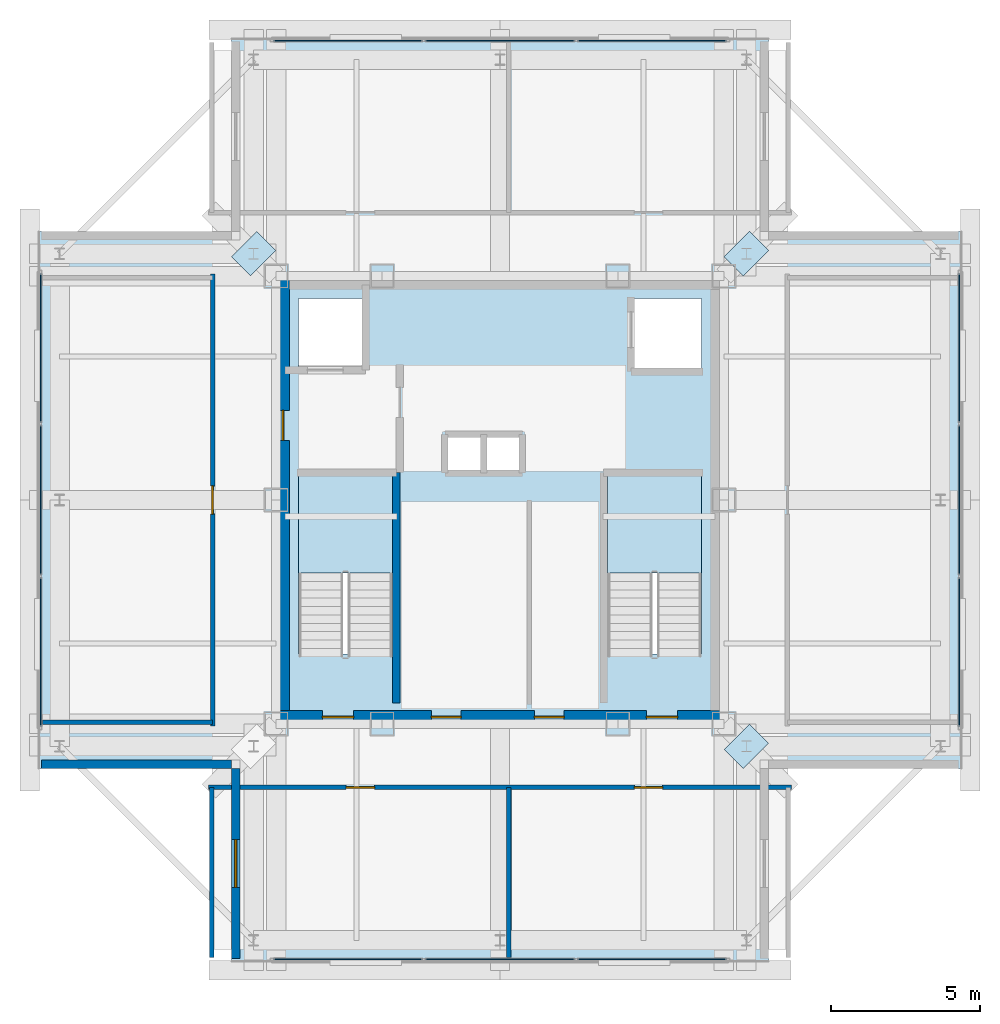
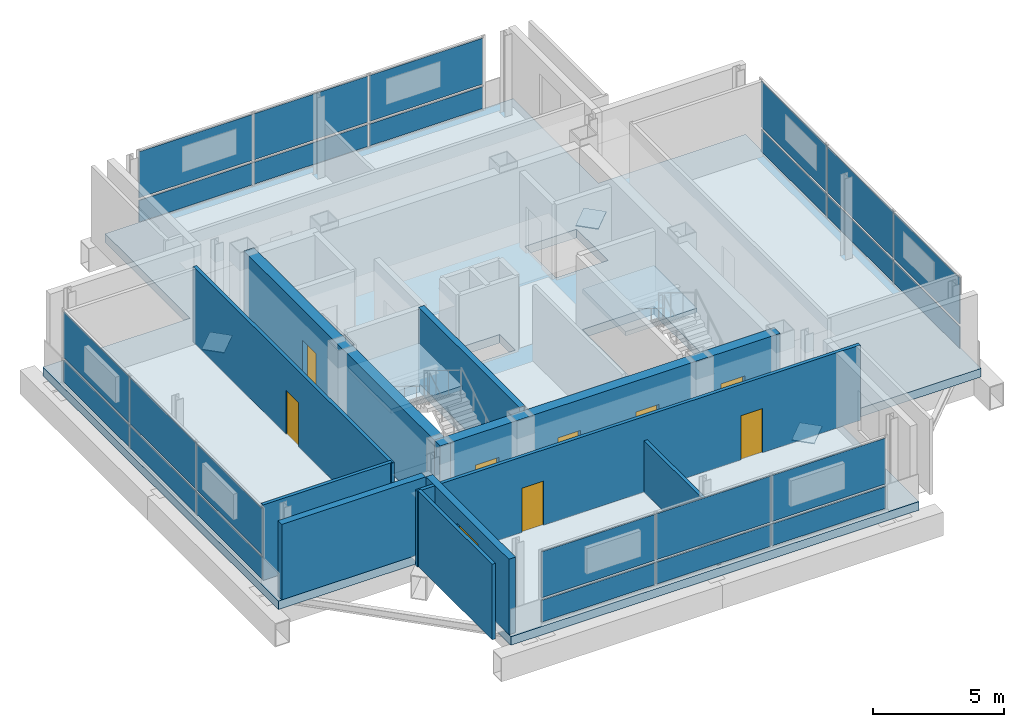
# One storey, part 6 of 10: 27 plates, 10 walls, 8 doors, 3 slabs, 1 window, 9 openings, 6 elements without a shape of their own.
"""IFC4 building model written with IfcOpenShell, lengths in metres."""

from ifc_helpers import new_model, si_unit, direction, frame, frame_2d, origin, origin_2d, place, context, subcontext, project, spatial, polyline, rectangle, outline, extrude, material, layer, layer_set, type_object, element, fill, aggregate, save


model = new_model("IFC4")

# Units and contexts
model_context = context("Model", 3, precision=1e-05, world=origin(), true_north=direction((0.0, 1.0)))
body_context = subcontext(model_context, "Body", "Model", "MODEL_VIEW")
ifc_project = project(units=[si_unit("LENGTHUNIT", "METRE"), si_unit("AREAUNIT", "SQUARE_METRE"), si_unit("VOLUMEUNIT", "CUBIC_METRE"), si_unit("PLANEANGLEUNIT", "RADIAN"), si_unit("MASSUNIT", "GRAM", prefix="KILO")], contexts=[model_context])

# Site, building, storey
site_placement = place(None, origin())
site = spatial("IfcSite", under=ifc_project, at=site_placement, CompositionType="ELEMENT")
building_placement = place(site_placement, origin())
building = spatial("IfcBuilding", under=site, at=building_placement, Name="Trevonay Congress Spire", CompositionType="ELEMENT")
storey_placement = place(building_placement, frame((0.0, 0.0, 316.0)))
storey = spatial("IfcBuildingStorey", under=building, at=storey_placement, Name="L83", CompositionType="ELEMENT", Elevation=316.0)

# Curtain wall, plates
ifc_material_1 = material(Name="Pale Anodised Aluminium EN AW-6063-T6", Category="aluminium")
ifc_layer_1 = layer(ifc_material_1, 0.159912109375, Name="Pale Anodised Aluminium EN AW-6063-T6")
ifc_layer_set_1 = layer_set([ifc_layer_1], Name="Pale Anodised Aluminium EN AW-6063-T6")
curtain_wall_type = type_object("IfcCurtainWallType", Name="CW-SYS06-CROWN-PALE-METAL", PredefinedType="NOTDEFINED", material=ifc_layer_set_1)
curtain_wall_1_placement = place(storey_placement, origin())
curtain_wall_1 = element("IfcCurtainWall", 1, at=curtain_wall_1_placement, inside=storey, type_object=curtain_wall_type, Name="L83 S unitised curtain wall", PredefinedType="NOTDEFINED")
ifc_material_2 = material(Name="Insulated Low-E Vision Glass IGU", Category="glass")
ifc_layer_2 = layer(ifc_material_2, 0.035888671875, Name="Insulated Low-E Vision Glass IGU")
ifc_layer_set_2 = layer_set([ifc_layer_2], Name="Insulated Low-E Vision Glass IGU")
plate_type_1 = type_object("IfcPlateType", Name="CW-PANEL-IGU36-SILVER", PredefinedType="CURTAIN_PANEL", material=ifc_layer_set_2)
plate_1_placement = place(storey_placement, frame((-5.0849609375, -15.3798828125, 0.1201171875), z_axis=(0.0, 0.0, 1.0), x_axis=(1.0, 0.0, 0.0)))
plate_1 = element("IfcPlate", 2, at=plate_1_placement, type_object=plate_type_1, Name="CW06 panel 1.1", PredefinedType="CURTAIN_PANEL", context=body_context, shape_type="SweptSolid", body=[
    extrude(rectangle(XDim=5.010009765625, YDim=0.035888671875, at=origin_2d()), origin(), (0.0, 0.0, 1.0), 1.016845703125),
])
plate_2_placement = place(storey_placement, frame((-5.0849609375, -15.3798828125, 1.2568359375), z_axis=(0.0, 0.0, 1.0), x_axis=(1.0, 0.0, 0.0)))
plate_2 = element("IfcPlate", 3, at=plate_2_placement, type_object=plate_type_1, Name="CW06 panel 1.2", PredefinedType="CURTAIN_PANEL", context=body_context, shape_type="SweptSolid", body=[
    extrude(rectangle(XDim=5.010009765625, YDim=0.035888671875, at=origin_2d()), origin(), (0.0, 0.0, 1.0), 2.143310546875),
])
plate_3_placement = place(storey_placement, frame((0.0, -15.3798828125, 0.1201171875), z_axis=(0.0, 0.0, 1.0), x_axis=(1.0, 0.0, 0.0)))
plate_3 = element("IfcPlate", 4, at=plate_3_placement, type_object=plate_type_1, Name="CW06 panel 2.1", PredefinedType="CURTAIN_PANEL", context=body_context, shape_type="SweptSolid", body=[
    extrude(rectangle(XDim=5.0400390625, YDim=0.035888671875, at=origin_2d()), origin(), (0.0, 0.0, 1.0), 1.016845703125),
])
plate_4_placement = place(storey_placement, frame((0.0, -15.3798828125, 1.2568359375), z_axis=(0.0, 0.0, 1.0), x_axis=(1.0, 0.0, 0.0)))
plate_4 = element("IfcPlate", 5, at=plate_4_placement, type_object=plate_type_1, Name="CW06 panel 2.2", PredefinedType="CURTAIN_PANEL", context=body_context, shape_type="SweptSolid", body=[
    extrude(rectangle(XDim=5.0400390625, YDim=0.035888671875, at=origin_2d()), origin(), (0.0, 0.0, 1.0), 2.143310546875),
])
plate_5_placement = place(storey_placement, frame((5.0849609375, -15.3798828125, 0.1201171875), z_axis=(0.0, 0.0, 1.0), x_axis=(1.0, 0.0, 0.0)))
plate_5 = element("IfcPlate", 6, at=plate_5_placement, type_object=plate_type_1, Name="CW06 panel 3.1", PredefinedType="CURTAIN_PANEL", context=body_context, shape_type="SweptSolid", body=[
    extrude(rectangle(XDim=5.010009765625, YDim=0.035888671875, at=origin_2d()), origin(), (0.0, 0.0, 1.0), 1.016845703125),
])
plate_6_placement = place(storey_placement, frame((5.0849609375, -15.3798828125, 1.2568359375), z_axis=(0.0, 0.0, 1.0), x_axis=(1.0, 0.0, 0.0)))
plate_6 = element("IfcPlate", 7, at=plate_6_placement, type_object=plate_type_1, Name="CW06 panel 3.2", PredefinedType="CURTAIN_PANEL", context=body_context, shape_type="SweptSolid", body=[
    extrude(rectangle(XDim=5.010009765625, YDim=0.035888671875, at=origin_2d()), origin(), (0.0, 0.0, 1.0), 2.143310546875),
])
aggregate(curtain_wall_1, [plate_1, plate_2, plate_3, plate_4, plate_5, plate_6])

curtain_wall_2_placement = place(storey_placement, origin())
curtain_wall_2 = element("IfcCurtainWall", 8, at=curtain_wall_2_placement, inside=storey, type_object=curtain_wall_type, Name="L83 N unitised curtain wall", PredefinedType="NOTDEFINED")
plate_7_placement = place(storey_placement, frame((-5.0849609375, 15.3798828125, 0.1201171875), z_axis=(0.0, 0.0, 1.0), x_axis=(1.0, 0.0, 0.0)))
plate_7 = element("IfcPlate", 9, at=plate_7_placement, type_object=plate_type_1, Name="CW06 panel 1.1", PredefinedType="CURTAIN_PANEL", context=body_context, shape_type="SweptSolid", body=[
    extrude(rectangle(XDim=5.010009765625, YDim=0.035888671875, at=origin_2d()), origin(), (0.0, 0.0, 1.0), 1.016845703125),
])
plate_8_placement = place(storey_placement, frame((-5.0849609375, 15.3798828125, 1.2568359375), z_axis=(0.0, 0.0, 1.0), x_axis=(1.0, 0.0, 0.0)))
plate_8 = element("IfcPlate", 10, at=plate_8_placement, type_object=plate_type_1, Name="CW06 panel 1.2", PredefinedType="CURTAIN_PANEL", context=body_context, shape_type="SweptSolid", body=[
    extrude(rectangle(XDim=5.010009765625, YDim=0.035888671875, at=origin_2d()), origin(), (0.0, 0.0, 1.0), 2.143310546875),
])
plate_9_placement = place(storey_placement, frame((0.0, 15.3798828125, 0.1201171875), z_axis=(0.0, 0.0, 1.0), x_axis=(1.0, 0.0, 0.0)))
plate_9 = element("IfcPlate", 11, at=plate_9_placement, type_object=plate_type_1, Name="CW06 panel 2.1", PredefinedType="CURTAIN_PANEL", context=body_context, shape_type="SweptSolid", body=[
    extrude(rectangle(XDim=5.0400390625, YDim=0.035888671875, at=origin_2d()), origin(), (0.0, 0.0, 1.0), 1.016845703125),
])
plate_10_placement = place(storey_placement, frame((0.0, 15.3798828125, 1.2568359375), z_axis=(0.0, 0.0, 1.0), x_axis=(1.0, 0.0, 0.0)))
plate_10 = element("IfcPlate", 12, at=plate_10_placement, type_object=plate_type_1, Name="CW06 panel 2.2", PredefinedType="CURTAIN_PANEL", context=body_context, shape_type="SweptSolid", body=[
    extrude(rectangle(XDim=5.0400390625, YDim=0.035888671875, at=origin_2d()), origin(), (0.0, 0.0, 1.0), 2.143310546875),
])
plate_11_placement = place(storey_placement, frame((5.0849609375, 15.3798828125, 0.1201171875), z_axis=(0.0, 0.0, 1.0), x_axis=(1.0, 0.0, 0.0)))
plate_11 = element("IfcPlate", 13, at=plate_11_placement, type_object=plate_type_1, Name="CW06 panel 3.1", PredefinedType="CURTAIN_PANEL", context=body_context, shape_type="SweptSolid", body=[
    extrude(rectangle(XDim=5.010009765625, YDim=0.035888671875, at=origin_2d()), origin(), (0.0, 0.0, 1.0), 1.016845703125),
])
plate_12_placement = place(storey_placement, frame((5.0849609375, 15.3798828125, 1.2568359375), z_axis=(0.0, 0.0, 1.0), x_axis=(1.0, 0.0, 0.0)))
plate_12 = element("IfcPlate", 14, at=plate_12_placement, type_object=plate_type_1, Name="CW06 panel 3.2", PredefinedType="CURTAIN_PANEL", context=body_context, shape_type="SweptSolid", body=[
    extrude(rectangle(XDim=5.010009765625, YDim=0.035888671875, at=origin_2d()), origin(), (0.0, 0.0, 1.0), 2.143310546875),
])
aggregate(curtain_wall_2, [plate_7, plate_8, plate_9, plate_10, plate_11, plate_12])

curtain_wall_3_placement = place(storey_placement, origin())
curtain_wall_3 = element("IfcCurtainWall", 15, at=curtain_wall_3_placement, inside=storey, type_object=curtain_wall_type, Name="L83 W unitised curtain wall", PredefinedType="NOTDEFINED")
plate_13_placement = place(storey_placement, frame((-15.3798828125, -5.0849609375, 0.1201171875), z_axis=(0.0, 0.0, 1.0), x_axis=(0.0, 1.0, 0.0)))
plate_13 = element("IfcPlate", 16, at=plate_13_placement, type_object=plate_type_1, Name="CW06 panel 1.1", PredefinedType="CURTAIN_PANEL", context=body_context, shape_type="SweptSolid", body=[
    extrude(rectangle(XDim=5.010009765625, YDim=0.035888671875, at=origin_2d()), origin(), (0.0, 0.0, 1.0), 1.016845703125),
])
plate_14_placement = place(storey_placement, frame((-15.3798828125, -5.0849609375, 1.2568359375), z_axis=(0.0, 0.0, 1.0), x_axis=(0.0, 1.0, 0.0)))
plate_14 = element("IfcPlate", 17, at=plate_14_placement, type_object=plate_type_1, Name="CW06 panel 1.2", PredefinedType="CURTAIN_PANEL", context=body_context, shape_type="SweptSolid", body=[
    extrude(rectangle(XDim=5.010009765625, YDim=0.035888671875, at=origin_2d()), origin(), (0.0, 0.0, 1.0), 2.143310546875),
])
plate_15_placement = place(storey_placement, frame((-15.3798828125, 0.0, 0.1201171875), z_axis=(0.0, 0.0, 1.0), x_axis=(0.0, 1.0, 0.0)))
plate_15 = element("IfcPlate", 18, at=plate_15_placement, type_object=plate_type_1, Name="CW06 panel 2.1", PredefinedType="CURTAIN_PANEL", context=body_context, shape_type="SweptSolid", body=[
    extrude(rectangle(XDim=5.0400390625, YDim=0.035888671875, at=origin_2d()), origin(), (0.0, 0.0, 1.0), 1.016845703125),
])
plate_16_placement = place(storey_placement, frame((-15.3798828125, 0.0, 1.2568359375), z_axis=(0.0, 0.0, 1.0), x_axis=(0.0, 1.0, 0.0)))
plate_16 = element("IfcPlate", 19, at=plate_16_placement, type_object=plate_type_1, Name="CW06 panel 2.2", PredefinedType="CURTAIN_PANEL", context=body_context, shape_type="SweptSolid", body=[
    extrude(rectangle(XDim=5.0400390625, YDim=0.035888671875, at=origin_2d()), origin(), (0.0, 0.0, 1.0), 2.143310546875),
])
plate_17_placement = place(storey_placement, frame((-15.3798828125, 5.0849609375, 0.1201171875), z_axis=(0.0, 0.0, 1.0), x_axis=(0.0, 1.0, 0.0)))
plate_17 = element("IfcPlate", 20, at=plate_17_placement, type_object=plate_type_1, Name="CW06 panel 3.1", PredefinedType="CURTAIN_PANEL", context=body_context, shape_type="SweptSolid", body=[
    extrude(rectangle(XDim=5.010009765625, YDim=0.035888671875, at=origin_2d()), origin(), (0.0, 0.0, 1.0), 1.016845703125),
])
plate_18_placement = place(storey_placement, frame((-15.3798828125, 5.0849609375, 1.2568359375), z_axis=(0.0, 0.0, 1.0), x_axis=(0.0, 1.0, 0.0)))
plate_18 = element("IfcPlate", 21, at=plate_18_placement, type_object=plate_type_1, Name="CW06 panel 3.2", PredefinedType="CURTAIN_PANEL", context=body_context, shape_type="SweptSolid", body=[
    extrude(rectangle(XDim=5.010009765625, YDim=0.035888671875, at=origin_2d()), origin(), (0.0, 0.0, 1.0), 2.143310546875),
])
aggregate(curtain_wall_3, [plate_13, plate_14, plate_15, plate_16, plate_17, plate_18])

curtain_wall_4_placement = place(storey_placement, origin())
curtain_wall_4 = element("IfcCurtainWall", 22, at=curtain_wall_4_placement, inside=storey, type_object=curtain_wall_type, Name="L83 E unitised curtain wall", PredefinedType="NOTDEFINED")
plate_19_placement = place(storey_placement, frame((15.3798828125, -5.0849609375, 0.1201171875), z_axis=(0.0, 0.0, 1.0), x_axis=(0.0, 1.0, 0.0)))
plate_19 = element("IfcPlate", 23, at=plate_19_placement, type_object=plate_type_1, Name="CW06 panel 1.1", PredefinedType="CURTAIN_PANEL", context=body_context, shape_type="SweptSolid", body=[
    extrude(rectangle(XDim=5.010009765625, YDim=0.035888671875, at=origin_2d()), origin(), (0.0, 0.0, 1.0), 1.016845703125),
])
plate_20_placement = place(storey_placement, frame((15.3798828125, -5.0849609375, 1.2568359375), z_axis=(0.0, 0.0, 1.0), x_axis=(0.0, 1.0, 0.0)))
plate_20 = element("IfcPlate", 24, at=plate_20_placement, type_object=plate_type_1, Name="CW06 panel 1.2", PredefinedType="CURTAIN_PANEL", context=body_context, shape_type="SweptSolid", body=[
    extrude(rectangle(XDim=5.010009765625, YDim=0.035888671875, at=origin_2d()), origin(), (0.0, 0.0, 1.0), 2.143310546875),
])
plate_21_placement = place(storey_placement, frame((15.3798828125, 0.0, 0.1201171875), z_axis=(0.0, 0.0, 1.0), x_axis=(0.0, 1.0, 0.0)))
plate_21 = element("IfcPlate", 25, at=plate_21_placement, type_object=plate_type_1, Name="CW06 panel 2.1", PredefinedType="CURTAIN_PANEL", context=body_context, shape_type="SweptSolid", body=[
    extrude(rectangle(XDim=5.0400390625, YDim=0.035888671875, at=origin_2d()), origin(), (0.0, 0.0, 1.0), 1.016845703125),
])
plate_22_placement = place(storey_placement, frame((15.3798828125, 0.0, 1.2568359375), z_axis=(0.0, 0.0, 1.0), x_axis=(0.0, 1.0, 0.0)))
plate_22 = element("IfcPlate", 26, at=plate_22_placement, type_object=plate_type_1, Name="CW06 panel 2.2", PredefinedType="CURTAIN_PANEL", context=body_context, shape_type="SweptSolid", body=[
    extrude(rectangle(XDim=5.0400390625, YDim=0.035888671875, at=origin_2d()), origin(), (0.0, 0.0, 1.0), 2.143310546875),
])
plate_23_placement = place(storey_placement, frame((15.3798828125, 5.0849609375, 0.1201171875), z_axis=(0.0, 0.0, 1.0), x_axis=(0.0, 1.0, 0.0)))
plate_23 = element("IfcPlate", 27, at=plate_23_placement, type_object=plate_type_1, Name="CW06 panel 3.1", PredefinedType="CURTAIN_PANEL", context=body_context, shape_type="SweptSolid", body=[
    extrude(rectangle(XDim=5.010009765625, YDim=0.035888671875, at=origin_2d()), origin(), (0.0, 0.0, 1.0), 1.016845703125),
])
plate_24_placement = place(storey_placement, frame((15.3798828125, 5.0849609375, 1.2568359375), z_axis=(0.0, 0.0, 1.0), x_axis=(0.0, 1.0, 0.0)))
plate_24 = element("IfcPlate", 28, at=plate_24_placement, type_object=plate_type_1, Name="CW06 panel 3.2", PredefinedType="CURTAIN_PANEL", context=body_context, shape_type="SweptSolid", body=[
    extrude(rectangle(XDim=5.010009765625, YDim=0.035888671875, at=origin_2d()), origin(), (0.0, 0.0, 1.0), 2.143310546875),
])
aggregate(curtain_wall_4, [plate_19, plate_20, plate_21, plate_22, plate_23, plate_24])

# Plates
ifc_material_3 = material(Name="Steel ASTM A572 Grade 50", Category="steel")
ifc_layer_3 = layer(ifc_material_3, 0.044921875, Name="Steel ASTM A572 Grade 50")
ifc_layer_set_3 = layer_set([ifc_layer_3], Name="Steel ASTM A572 Grade 50")
plate_type_2 = type_object("IfcPlateType", Name="PLT-GUSSET-INT-45", PredefinedType="USERDEFINED", material=ifc_layer_set_3)
for number, where, z_axis, x_axis, name in (
    (29, (8.25, -8.25, -0.972412109375), (0.0, 0.0, 1.0), (0.707106781187, 0.707106781187, 0.0), "L83 setback column transfer gusset plate KN-01 (SE)"),
    (30, (8.25, 8.25, -0.972412109375), (0.0, 0.0, 1.0), (0.707106781187, 0.707106781187, 0.0), "L83 setback column transfer gusset plate KN-01 (NE)"),
    (31, (-8.25, 8.25, -0.972412109375), (0.0, 0.0, 1.0), (0.707106781187, 0.707106781187, 0.0), "L83 setback column transfer gusset plate KN-01 (NW)"),
):
    element("IfcPlate", number, at=place(storey_placement, frame(where, z_axis=z_axis, x_axis=x_axis)), inside=storey, type_object=plate_type_2, Name=name, ObjectType="GUSSET_PLATE", PredefinedType="USERDEFINED", context=body_context, shape_type="SweptSolid", body=[
        extrude(rectangle(XDim=1.199951171875, YDim=0.89990234375, at=origin_2d()), origin(), (0.0, 0.0, 1.0), 0.044921875),
    ])

# Stair, slab
ifc_material_4 = material(Name="Concrete C40/50", Category="concrete")
stair_type_1 = type_object("IfcStairType", Name="STR-ST-1", PredefinedType="HALF_TURN_STAIR", material=ifc_material_4)
stair_1_placement = place(storey_placement, origin())
stair_1 = element("IfcStair", 32, at=stair_1_placement, inside=storey, type_object=stair_type_1, Name="L83 Protected Exit Stair ST-1", PredefinedType="HALF_TURN_STAIR")
ifc_layer_4 = layer(ifc_material_4, 0.199951171875, Name="Concrete C40/50")
ifc_layer_set_4 = layer_set([ifc_layer_4], Name="Concrete C40/50")
slab_type_1 = type_object("IfcSlabType", Name="SLB-STAIR-LAND-200", PredefinedType="LANDING", material=ifc_layer_set_4)
slab_1_placement = place(storey_placement, frame((0.0, 0.0, 1.699951171875)))
slab_1 = element("IfcSlab", 33, at=slab_1_placement, type_object=slab_type_1, Name="ST-1 landing 1", PredefinedType="LANDING", context=body_context, shape_type="SweptSolid", body=[
    extrude(outline(polyline([(-3.60009765625, -2.449951171875), (-3.60009765625, 0.85009765625), (-6.75, 0.85009765625), (-6.75, -2.449951171875), (-3.60009765625, -2.449951171875)])), origin(), (0.0, 0.0, 1.0), 0.199951171875),
])
aggregate(stair_1, [slab_1])

stair_type_2 = type_object("IfcStairType", Name="STR-ST-2", PredefinedType="HALF_TURN_STAIR", material=ifc_material_4)
stair_2_placement = place(storey_placement, origin())
stair_2 = element("IfcStair", 34, at=stair_2_placement, inside=storey, type_object=stair_type_2, Name="L83 Protected Exit Stair ST-2", PredefinedType="HALF_TURN_STAIR")
slab_2_placement = place(storey_placement, frame((0.0, 0.0, 1.699951171875)))
slab_2 = element("IfcSlab", 35, at=slab_2_placement, type_object=slab_type_1, Name="ST-2 landing 1", PredefinedType="LANDING", context=body_context, shape_type="SweptSolid", body=[
    extrude(outline(polyline([(6.75, -2.449951171875), (6.75, 0.85009765625), (3.60009765625, 0.85009765625), (3.60009765625, -2.449951171875), (6.75, -2.449951171875)])), origin(), (0.0, 0.0, 1.0), 0.199951171875),
])
aggregate(stair_2, [slab_2])

# Slab
ifc_layer_5 = layer(ifc_material_4, 0.39990234375, Name="Concrete C40/50")
ifc_layer_set_5 = layer_set([ifc_layer_5], Name="Concrete C40/50")
slab_type_2 = type_object("IfcSlabType", Name="SLB-XFER-400", PredefinedType="FLOOR", material=ifc_layer_set_5)
slab_3_placement = place(storey_placement, frame((0.0, 0.0, -0.39990234375)))
element("IfcSlab", 36, at=slab_3_placement, inside=storey, type_object=slab_type_2, Name="L83 structural floor slab", PredefinedType="FLOOR", context=body_context, shape_type="SweptSolid", body=[
    extrude(outline(polyline([(-9.0, -15.5), (9.0, -15.5), (9.0, -9.0), (15.5, -9.0), (15.5, 9.0), (9.0, 9.0), (9.0, 15.5), (-9.0, 15.5), (-9.0, 9.0), (-15.5, 9.0), (-15.5, -9.0), (-9.0, -9.0), (-9.0, -15.5)]), holes=[polyline([(-3.60009765625, -5.14990234375), (-3.60009765625, 0.85009765625), (-6.75, 0.85009765625), (-6.75, -5.14990234375), (-3.60009765625, -5.14990234375)]), polyline([(6.75, -5.14990234375), (6.75, 0.85009765625), (3.60009765625, 0.85009765625), (3.60009765625, -5.14990234375), (6.75, -5.14990234375)]), polyline([(-6.75, 4.35009765625), (-4.449951171875, 4.35009765625), (-4.449951171875, 6.75), (-6.75, 6.75), (-6.75, 4.35009765625)]), polyline([(4.449951171875, 4.35009765625), (6.75, 4.35009765625), (6.75, 6.75), (4.449951171875, 6.75), (4.449951171875, 4.35009765625)]), polyline([(-1.800048828125, 0.949951171875), (0.699951171875, 0.949951171875), (0.699951171875, 2.14990234375), (-1.800048828125, 2.14990234375), (-1.800048828125, 0.949951171875)])]), origin(), (0.0, 0.0, 1.0), 0.39990234375),
])

# Wall, openings, doors
ifc_material_5 = material(Name="Concrete C50/60", Category="concrete")
ifc_layer_6 = layer(ifc_material_5, 0.449951171875, Name="Concrete C50/60")
ifc_layer_set_6 = layer_set([ifc_layer_6], Name="Concrete C50/60")
wall_type_1 = type_object("IfcWallType", Name="WAL-CORE-450", PredefinedType="SHEAR", material=ifc_layer_set_6)
wall_1_placement = place(storey_placement, frame((-7.5, -7.27490234375, 0.0), z_axis=(0.0, 0.0, 1.0), x_axis=(1.0, 0.0, 0.0)))
wall_1 = element("IfcWall", 37, at=wall_1_placement, inside=storey, type_object=wall_type_1, Name="L83 South structural core shear wall", PredefinedType="SHEAR", context=body_context, shape_type="SweptSolid", body=[
    extrude(rectangle(XDim=15.0, YDim=0.449951171875, at=frame_2d((7.5, 0.0))), origin(), (0.0, 0.0, 1.0), 3.52001953125),
])
opening_1_placement = place(wall_1_placement, frame((1.550048828125, 0.0, 0.0)))
opening_1 = element("IfcOpeningElement", 38, at=opening_1_placement, cuts=wall_1, Name="Opening D05", PredefinedType="OPENING", context=body_context, shape_type="SweptSolid", body=[
    extrude(rectangle(XDim=1.050048828125, YDim=2.080078125, at=frame_2d((0.52490234375, 1.0400390625))), frame((0.0, 0.23486328125, 0.0), z_axis=(0.0, -1.0, 0.0), x_axis=(1.0, 0.0, 0.0)), (0.0, 0.0, 1.0), 0.469970703125),
])
opening_2_placement = place(wall_1_placement, frame((12.39990234375, 0.0, 0.0)))
opening_2 = element("IfcOpeningElement", 39, at=opening_2_placement, cuts=wall_1, Name="Opening D05", PredefinedType="OPENING", context=body_context, shape_type="SweptSolid", body=[
    extrude(rectangle(XDim=1.050048828125, YDim=2.080078125, at=frame_2d((0.52490234375, 1.0400390625))), frame((0.0, 0.23486328125, 0.0), z_axis=(0.0, -1.0, 0.0), x_axis=(1.0, 0.0, 0.0)), (0.0, 0.0, 1.0), 0.469970703125),
])
opening_3_placement = place(wall_1_placement, frame((5.199951171875, 0.0, 0.0)))
opening_3 = element("IfcOpeningElement", 40, at=opening_3_placement, cuts=wall_1, Name="Opening D06", PredefinedType="OPENING", context=body_context, shape_type="SweptSolid", body=[
    extrude(rectangle(XDim=1.0, YDim=2.080078125, at=frame_2d((0.5, 1.0400390625))), frame((0.0, 0.23486328125, 0.0), z_axis=(0.0, -1.0, 0.0), x_axis=(1.0, 0.0, 0.0)), (0.0, 0.0, 1.0), 0.469970703125),
])
opening_4_placement = place(wall_1_placement, frame((8.64990234375, 0.0, 0.0)))
opening_4 = element("IfcOpeningElement", 41, at=opening_4_placement, cuts=wall_1, Name="Opening D06", PredefinedType="OPENING", context=body_context, shape_type="SweptSolid", body=[
    extrude(rectangle(XDim=1.0, YDim=2.080078125, at=frame_2d((0.5, 1.0400390625))), frame((0.0, 0.23486328125, 0.0), z_axis=(0.0, -1.0, 0.0), x_axis=(1.0, 0.0, 0.0)), (0.0, 0.0, 1.0), 0.469970703125),
])
door_type_1 = type_object("IfcDoorType", Name="DOR-FIRE-100", OperationType="NOTDEFINED", PredefinedType="DOOR", material=ifc_material_3)
door_1_placement = place(opening_3_placement, origin())
door_1 = element("IfcDoor", 42, at=door_1_placement, inside=storey, type_object=door_type_1, Name="L83 South Core Room 1 Door", OperationType="SINGLE_SWING_LEFT", OverallHeight=2.080078125, OverallWidth=1.0, PredefinedType="DOOR", context=body_context, shape_type="SweptSolid", body=[
    extrude(rectangle(XDim=1.0, YDim=2.080078125, at=frame_2d((0.5, 1.0400390625))), frame((0.0, 0.02490234375, 0.0), z_axis=(0.0, -1.0, 0.0), x_axis=(1.0, 0.0, 0.0)), (0.0, 0.0, 1.0), 0.050048828125),
])
fill(opening_3, door_1)
door_2_placement = place(opening_4_placement, origin())
door_2 = element("IfcDoor", 43, at=door_2_placement, inside=storey, type_object=door_type_1, Name="L83 South Core Room 2 Door", OperationType="SINGLE_SWING_RIGHT", OverallHeight=2.080078125, OverallWidth=1.0, PredefinedType="DOOR", context=body_context, shape_type="SweptSolid", body=[
    extrude(rectangle(XDim=1.0, YDim=2.080078125, at=frame_2d((0.5, 1.0400390625))), frame((0.0, 0.02490234375, 0.0), z_axis=(0.0, -1.0, 0.0), x_axis=(1.0, 0.0, 0.0)), (0.0, 0.0, 1.0), 0.050048828125),
])
fill(opening_4, door_2)
door_type_2 = type_object("IfcDoorType", Name="DOR-STAIR-110", OperationType="NOTDEFINED", PredefinedType="DOOR", material=ifc_material_3)
door_3_placement = place(opening_1_placement, origin())
door_3 = element("IfcDoor", 44, at=door_3_placement, inside=storey, type_object=door_type_2, Name="L83 Protected Stair ST-1 Door", OperationType="SINGLE_SWING_RIGHT", OverallHeight=2.080078125, OverallWidth=1.050048828125, PredefinedType="DOOR", context=body_context, shape_type="SweptSolid", body=[
    extrude(rectangle(XDim=1.050048828125, YDim=2.080078125, at=frame_2d((0.52490234375, 1.0400390625))), frame((0.0, 0.02490234375, 0.0), z_axis=(0.0, -1.0, 0.0), x_axis=(1.0, 0.0, 0.0)), (0.0, 0.0, 1.0), 0.050048828125),
])
fill(opening_1, door_3)
door_4_placement = place(opening_2_placement, origin())
door_4 = element("IfcDoor", 45, at=door_4_placement, inside=storey, type_object=door_type_2, Name="L83 Protected Stair ST-2 Door", OperationType="SINGLE_SWING_LEFT", OverallHeight=2.080078125, OverallWidth=1.050048828125, PredefinedType="DOOR", context=body_context, shape_type="SweptSolid", body=[
    extrude(rectangle(XDim=1.050048828125, YDim=2.080078125, at=frame_2d((0.52490234375, 1.0400390625))), frame((0.0, 0.02490234375, 0.0), z_axis=(0.0, -1.0, 0.0), x_axis=(1.0, 0.0, 0.0)), (0.0, 0.0, 1.0), 0.050048828125),
])
fill(opening_2, door_4)

# Wall, opening, door
wall_2_placement = place(storey_placement, frame((-7.27490234375, -7.5, 0.0), z_axis=(0.0, 0.0, 1.0), x_axis=(0.0, 1.0, 0.0)))
wall_2 = element("IfcWall", 46, at=wall_2_placement, inside=storey, type_object=wall_type_1, Name="L83 West structural core shear wall", PredefinedType="SHEAR", context=body_context, shape_type="SweptSolid", body=[
    extrude(rectangle(XDim=15.0, YDim=0.449951171875, at=frame_2d((7.5, 0.0))), origin(), (0.0, 0.0, 1.0), 3.52001953125),
])
opening_5_placement = place(wall_2_placement, frame((9.5, 0.0, 0.0)))
opening_5 = element("IfcOpeningElement", 47, at=opening_5_placement, cuts=wall_2, Name="Opening D06", PredefinedType="OPENING", context=body_context, shape_type="SweptSolid", body=[
    extrude(rectangle(XDim=1.0, YDim=2.080078125, at=frame_2d((0.5, 1.0400390625))), frame((0.0, 0.23486328125, 0.0), z_axis=(0.0, -1.0, 0.0), x_axis=(1.0, 0.0, 0.0)), (0.0, 0.0, 1.0), 0.469970703125),
])
door_5_placement = place(opening_5_placement, origin())
door_5 = element("IfcDoor", 48, at=door_5_placement, inside=storey, type_object=door_type_1, Name="L83 Firefighting Lift Lobby West Corridor Door", OperationType="SINGLE_SWING_RIGHT", OverallHeight=2.080078125, OverallWidth=1.0, PredefinedType="DOOR", context=body_context, shape_type="SweptSolid", body=[
    extrude(rectangle(XDim=1.0, YDim=2.080078125, at=frame_2d((0.5, 1.0400390625))), frame((0.0, 0.02490234375, 0.0), z_axis=(0.0, -1.0, 0.0), x_axis=(1.0, 0.0, 0.0)), (0.0, 0.0, 1.0), 0.050048828125),
])
fill(opening_5, door_5)

# Wall, openings, doors
ifc_layer_7 = layer(ifc_material_4, 0.14990234375, Name="Concrete C40/50")
ifc_layer_set_7 = layer_set([ifc_layer_7], Name="Concrete C40/50")
wall_type_2 = type_object("IfcWallType", Name="WAL-CORR-150", PredefinedType="PARTITIONING", material=ifc_layer_set_7)
wall_3_placement = place(storey_placement, frame((-9.77001953125, -9.6201171875, 0.0), z_axis=(0.0, 0.0, 1.0), x_axis=(1.0, 0.0, 0.0)))
wall_3 = element("IfcWall", 49, at=wall_3_placement, inside=storey, type_object=wall_type_2, Name="L83 interior wall WP-L83S-COR", PredefinedType="PARTITIONING", context=body_context, shape_type="SweptSolid", body=[
    extrude(rectangle(XDim=19.5400390625, YDim=0.14990234375, at=frame_2d((9.77001953125, 0.0))), origin(), (0.0, 0.0, 1.0), 3.52001953125),
])
opening_6_placement = place(wall_3_placement, frame((4.6201171875, 0.0, 0.0)))
opening_6 = element("IfcOpeningElement", 50, at=opening_6_placement, cuts=wall_3, Name="Opening D07", PredefinedType="OPENING", context=body_context, shape_type="SweptSolid", body=[
    extrude(rectangle(XDim=0.949951171875, YDim=2.06005859375, at=frame_2d((0.47509765625, 1.030029296875))), frame((0.0, 0.0849609375, 0.0), z_axis=(0.0, -1.0, 0.0), x_axis=(1.0, 0.0, 0.0)), (0.0, 0.0, 1.0), 0.169921875),
])
opening_7_placement = place(wall_3_placement, frame((14.27001953125, 0.0, 0.0)))
opening_7 = element("IfcOpeningElement", 51, at=opening_7_placement, cuts=wall_3, Name="Opening D07", PredefinedType="OPENING", context=body_context, shape_type="SweptSolid", body=[
    extrude(rectangle(XDim=0.949951171875, YDim=2.06005859375, at=frame_2d((0.47509765625, 1.030029296875))), frame((0.0, 0.0849609375, 0.0), z_axis=(0.0, -1.0, 0.0), x_axis=(1.0, 0.0, 0.0)), (0.0, 0.0, 1.0), 0.169921875),
])
door_type_3 = type_object("IfcDoorType", Name="DOR-OFFICE-95", OperationType="NOTDEFINED", PredefinedType="DOOR", material=ifc_material_1)
door_6_placement = place(opening_6_placement, origin())
door_6 = element("IfcDoor", 52, at=door_6_placement, inside=storey, type_object=door_type_3, Name="L83 Crown Cooling Tower Plant Door", OperationType="SINGLE_SWING_RIGHT", OverallHeight=2.06005859375, OverallWidth=0.949951171875, PredefinedType="DOOR", context=body_context, shape_type="SweptSolid", body=[
    extrude(rectangle(XDim=0.949951171875, YDim=2.06005859375, at=frame_2d((0.47509765625, 1.030029296875))), frame((0.0, 0.02490234375, 0.0), z_axis=(0.0, -1.0, 0.0), x_axis=(1.0, 0.0, 0.0)), (0.0, 0.0, 1.0), 0.050048828125),
])
fill(opening_6, door_6)
door_7_placement = place(opening_7_placement, origin())
door_7 = element("IfcDoor", 53, at=door_7_placement, inside=storey, type_object=door_type_3, Name="L83 Water Treatment Plant Door", OperationType="SINGLE_SWING_LEFT", OverallHeight=2.06005859375, OverallWidth=0.949951171875, PredefinedType="DOOR", context=body_context, shape_type="SweptSolid", body=[
    extrude(rectangle(XDim=0.949951171875, YDim=2.06005859375, at=frame_2d((0.47509765625, 1.030029296875))), frame((0.0, 0.02490234375, 0.0), z_axis=(0.0, -1.0, 0.0), x_axis=(1.0, 0.0, 0.0)), (0.0, 0.0, 1.0), 0.050048828125),
])
fill(opening_7, door_7)

# Wall, opening, door
wall_4_placement = place(storey_placement, frame((-9.6201171875, -7.570068359375, 0.0), z_axis=(0.0, 0.0, 1.0), x_axis=(0.0, 1.0, 0.0)))
wall_4 = element("IfcWall", 54, at=wall_4_placement, inside=storey, type_object=wall_type_2, Name="L83 interior wall WP-L83W-COR", PredefinedType="PARTITIONING", context=body_context, shape_type="SweptSolid", body=[
    extrude(rectangle(XDim=15.14013671875, YDim=0.14990234375, at=frame_2d((7.570068359375, 0.0))), origin(), (0.0, 0.0, 1.0), 3.52001953125),
])
opening_8_placement = place(wall_4_placement, frame((7.094970703125, 0.0, 0.0)))
opening_8 = element("IfcOpeningElement", 55, at=opening_8_placement, cuts=wall_4, Name="Opening D07", PredefinedType="OPENING", context=body_context, shape_type="SweptSolid", body=[
    extrude(rectangle(XDim=0.949951171875, YDim=2.06005859375, at=frame_2d((0.47509765625, 1.030029296875))), frame((0.0, 0.0849609375, 0.0), z_axis=(0.0, -1.0, 0.0), x_axis=(1.0, 0.0, 0.0)), (0.0, 0.0, 1.0), 0.169921875),
])
door_8_placement = place(opening_8_placement, origin())
door_8 = element("IfcDoor", 56, at=door_8_placement, inside=storey, type_object=door_type_3, Name="L83 Spire Structural Monitoring Plant Door", OperationType="SINGLE_SWING_RIGHT", OverallHeight=2.06005859375, OverallWidth=0.949951171875, PredefinedType="DOOR", context=body_context, shape_type="SweptSolid", body=[
    extrude(rectangle(XDim=0.949951171875, YDim=2.06005859375, at=frame_2d((0.47509765625, 1.030029296875))), frame((0.0, 0.02490234375, 0.0), z_axis=(0.0, -1.0, 0.0), x_axis=(1.0, 0.0, 0.0)), (0.0, 0.0, 1.0), 0.050048828125),
])
fill(opening_8, door_8)

# Wall, opening, window
ifc_material_6 = material(Name="Precast concrete C40/50", Category="concrete")
ifc_layer_8 = layer(ifc_material_6, 0.300048828125, Name="Precast concrete C40/50")
ifc_layer_set_8 = layer_set([ifc_layer_8], Name="Precast concrete C40/50")
wall_type_3 = type_object("IfcWallType", Name="WAL-EXT-PRECAST-300", PredefinedType="SOLIDWALL", material=ifc_layer_set_8)
wall_5_placement = place(storey_placement, frame((-8.85009765625, -15.35009765625, 0.0), z_axis=(0.0, 0.0, 1.0), x_axis=(0.0, 1.0, 0.0)))
wall_5 = element("IfcWall", 57, at=wall_5_placement, inside=storey, type_object=wall_type_3, Name="L83 SW re-entrant notch exterior wall 1", PredefinedType="SOLIDWALL", context=body_context, shape_type="SweptSolid", body=[
    extrude(rectangle(XDim=6.35009765625, YDim=0.300048828125, at=frame_2d((3.175048828125, 0.0))), origin(), (0.0, 0.0, 1.0), 3.52001953125),
])
opening_9_placement = place(wall_5_placement, frame((2.375, 0.0, 0.89990234375)))
opening_9 = element("IfcOpeningElement", 58, at=opening_9_placement, cuts=wall_5, Name="Opening WN04", PredefinedType="OPENING", context=body_context, shape_type="SweptSolid", body=[
    extrude(rectangle(XDim=1.60009765625, YDim=1.89990234375, at=frame_2d((0.800048828125, 0.949951171875))), frame((0.0, 0.16015625, 0.0), z_axis=(0.0, -1.0, 0.0), x_axis=(1.0, 0.0, 0.0)), (0.0, 0.0, 1.0), 0.320068359375),
])
window_type = type_object("IfcWindowType", Name="WIN-CROWN-160X190", PartitioningType="SINGLE_PANEL", PredefinedType="WINDOW", material=ifc_material_2)
window_placement = place(opening_9_placement, origin())
window = element("IfcWindow", 59, at=window_placement, inside=storey, type_object=window_type, Name="L83 SW corner notch window", OverallHeight=1.89990234375, OverallWidth=1.60009765625, PartitioningType="SINGLE_PANEL", PredefinedType="WINDOW", context=body_context, shape_type="SweptSolid", body=[
    extrude(rectangle(XDim=1.60009765625, YDim=1.89990234375, at=frame_2d((0.800048828125, 0.949951171875))), frame((0.0, 0.030029296875, 0.0), z_axis=(0.0, -1.0, 0.0), x_axis=(1.0, 0.0, 0.0)), (0.0, 0.0, 1.0), 0.06005859375),
])
fill(opening_9, window)

# Walls
wall_6_placement = place(storey_placement, frame((-15.35009765625, -8.85009765625, 0.0), z_axis=(0.0, 0.0, 1.0), x_axis=(1.0, 0.0, 0.0)))
element("IfcWall", 60, at=wall_6_placement, inside=storey, type_object=wall_type_3, Name="L83 SW re-entrant notch exterior wall 2", PredefinedType="SOLIDWALL", context=body_context, shape_type="SweptSolid", body=[
    extrude(rectangle(XDim=6.35009765625, YDim=0.300048828125, at=frame_2d((3.175048828125, 0.0))), origin(), (0.0, 0.0, 1.0), 3.52001953125),
])
ifc_layer_9 = layer(ifc_material_4, 0.14990234375, Name="Concrete C40/50")
ifc_layer_set_9 = layer_set([ifc_layer_9], Name="Concrete C40/50")
wall_type_4 = type_object("IfcWallType", Name="WAL-PART-150", PredefinedType="PARTITIONING", material=ifc_layer_set_9)
wall_7_placement = place(storey_placement, frame((-9.64990234375, -15.320068359375, 0.0), z_axis=(0.0, 0.0, 1.0), x_axis=(0.0, 1.0, 0.0)))
element("IfcWall", 61, at=wall_7_placement, inside=storey, type_object=wall_type_4, Name="L83 interior wall WP-L83S-DIV1", PredefinedType="PARTITIONING", context=body_context, shape_type="SweptSolid", body=[
    extrude(rectangle(XDim=5.699951171875, YDim=0.14990234375, at=frame_2d((2.85009765625, 0.0))), origin(), (0.0, 0.0, 1.0), 3.52001953125),
])
wall_8_placement = place(storey_placement, frame((0.300048828125, -15.320068359375, 0.0), z_axis=(0.0, 0.0, 1.0), x_axis=(0.0, 1.0, 0.0)))
element("IfcWall", 62, at=wall_8_placement, inside=storey, type_object=wall_type_4, Name="L83 interior wall WP-L83S-DIV2", PredefinedType="PARTITIONING", context=body_context, shape_type="SweptSolid", body=[
    extrude(rectangle(XDim=5.699951171875, YDim=0.14990234375, at=frame_2d((2.85009765625, 0.0))), origin(), (0.0, 0.0, 1.0), 2.39501953125),
])
wall_9_placement = place(storey_placement, frame((-15.320068359375, -7.449951171875, 0.0), z_axis=(0.0, 0.0, 1.0), x_axis=(1.0, 0.0, 0.0)))
element("IfcWall", 63, at=wall_9_placement, inside=storey, type_object=wall_type_4, Name="L83 interior wall WP-L83W-DIV1", PredefinedType="PARTITIONING", context=body_context, shape_type="SweptSolid", body=[
    extrude(rectangle(XDim=5.699951171875, YDim=0.14990234375, at=frame_2d((2.85009765625, 0.0))), origin(), (0.0, 0.0, 1.0), 3.52001953125),
])
ifc_layer_10 = layer(ifc_material_4, 0.25, Name="Concrete C40/50")
ifc_layer_set_10 = layer_set([ifc_layer_10], Name="Concrete C40/50")
wall_type_5 = type_object("IfcWallType", Name="WAL-SHAFT-LB-250", PredefinedType="SHEAR", material=ifc_layer_set_10)
wall_10_placement = place(storey_placement, frame((-3.469970703125, -6.800048828125, 0.0), z_axis=(0.0, 0.0, 1.0), x_axis=(0.0, 1.0, 0.0)))
element("IfcWall", 64, at=wall_10_placement, inside=storey, type_object=wall_type_5, Name="L83 interior shaft wall WSH-L83-ST1-E", PredefinedType="SHEAR", context=body_context, shape_type="SweptSolid", body=[
    extrude(rectangle(XDim=7.719970703125, YDim=0.25, at=frame_2d((3.85986328125, 0.0))), origin(), (0.0, 0.0, 1.0), 3.52001953125),
])

save(model, "model.ifc")
